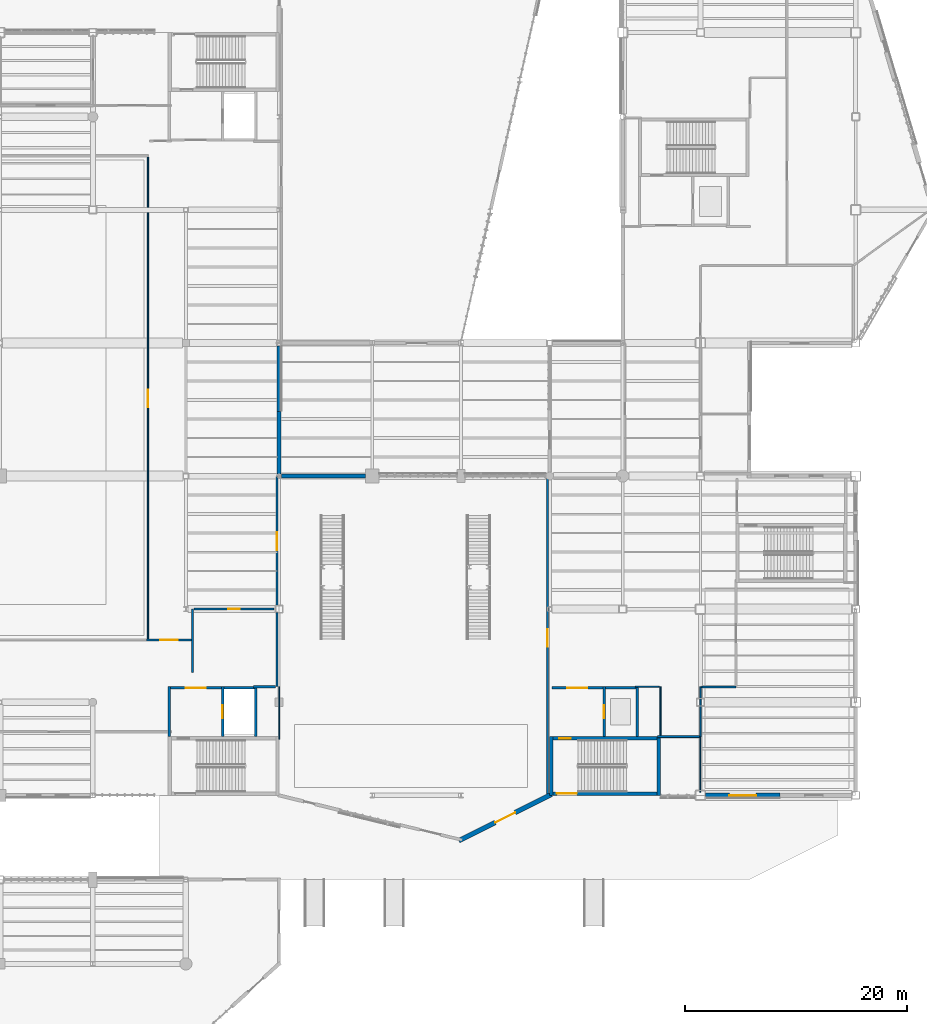
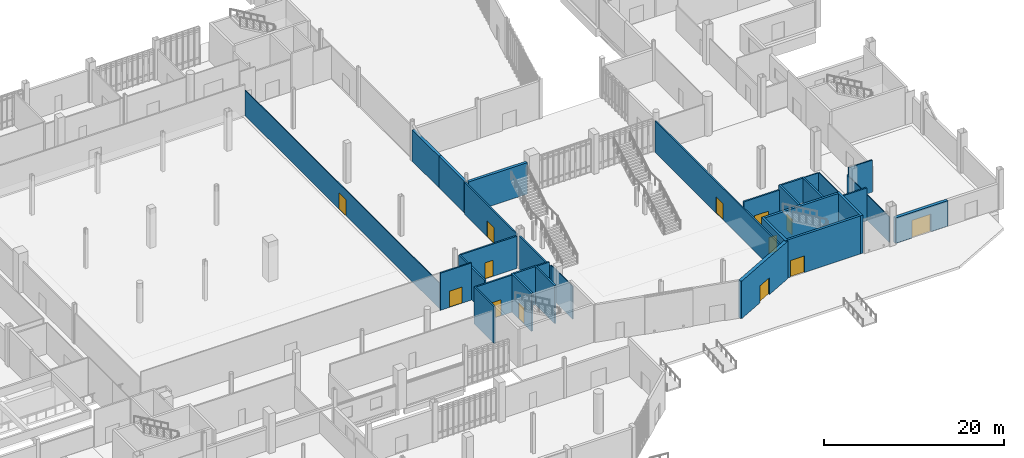
# One storey, part 87 of 111: 33 walls, 13 doors, 13 openings.
"""IFC4 building model written with IfcOpenShell, lengths in metres."""

import ifcopenshell
import ifcopenshell.guid

model = None  # the IFC model being written
_history = None  # IfcOwnerHistory: only IFC2X3 demands one
_inside = {}  # id of a spatial element -> (the spatial element, [elements in it])
_under = {}  # id of a project, library or spatial element -> (it, [spatial elements below it])
_declared = {}  # id of a project -> (the project, [libraries it declares])
_typed = {}  # id of a type object -> (the type object, [elements of that type])
_made_of = {}  # id of a material, layer set ... -> (it, [elements and type objects made of it])


def new_model(schema):
    """Start an empty IFC model of exactly this schema.

    Asked for "IFC4X3", IfcOpenShell would pick the latest addendum, in which some entities
    have other attributes; the version numbers below select the first issue.
    IFC2X3 requires an IfcOwnerHistory on every rooted entity: one is made here for all.
    """
    global model, _history
    if schema == "IFC4X3":
        model = ifcopenshell.file(schema_version=(4, 3, 0, 0))
    else:
        model = ifcopenshell.file(schema=schema)
    _inside.clear()
    _under.clear()
    _declared.clear()
    _typed.clear()
    _made_of.clear()
    _history = None
    if model.schema == "IFC2X3":
        org = make("IfcOrganization", Name="unknown")
        user = make(
            "IfcPersonAndOrganization",
            ThePerson=make("IfcPerson", FamilyName="unknown"),
            TheOrganization=org,
        )
        app = make(
            "IfcApplication",
            ApplicationDeveloper=org,
            Version="unknown",
            ApplicationFullName="unknown",
            ApplicationIdentifier="unknown",
        )
        _history = make(
            "IfcOwnerHistory",
            OwningUser=user,
            OwningApplication=app,
            ChangeAction="ADDED",
            CreationDate=0,
        )
    return model


def make(cls, **values):
    """One entity of the class cls with the attributes given. An attribute that is None is left unset."""
    return model.create_entity(
        cls, **{name: value for name, value in values.items() if value is not None}
    )


def rooted(cls, **values):
    """An entity with a GlobalId (a new one), such as an element, a storey or a relation."""
    return make(cls, GlobalId=ifcopenshell.guid.new(), OwnerHistory=_history, **values)


def si_unit(unit_type, name, prefix=None):
    """IfcSIUnit, for example si_unit("LENGTHUNIT", "METRE", prefix="MILLI")."""
    return make("IfcSIUnit", UnitType=unit_type, Prefix=prefix, Name=name)


def assignment(units):
    """IfcUnitAssignment: the units of a project."""
    return None if units is None else make("IfcUnitAssignment", Units=units)


def point(xyz):
    """IfcCartesianPoint."""
    return None if xyz is None else make("IfcCartesianPoint", Coordinates=xyz)


def direction(xyz):
    """IfcDirection."""
    return None if xyz is None else make("IfcDirection", DirectionRatios=xyz)


def frame(location, z_axis=None, x_axis=None):
    """IfcAxis2Placement3D, a coordinate frame: its origin and axes. An axis left out is left unset."""
    return make(
        "IfcAxis2Placement3D",
        Location=point(location),
        Axis=direction(z_axis),
        RefDirection=direction(x_axis),
    )


def frame_2d(location, x_axis=None):
    """IfcAxis2Placement2D, a coordinate frame in the plane: its origin and x axis."""
    return make(
        "IfcAxis2Placement2D", Location=point(location), RefDirection=direction(x_axis)
    )


def origin():
    """The frame at (0, 0, 0) with its axes left unset."""
    return frame((0.0, 0.0, 0.0))


def place(relative_to, where):
    """IfcLocalPlacement: puts the frame where relative to a parent placement (None: the world)."""
    return make(
        "IfcLocalPlacement", PlacementRelTo=relative_to, RelativePlacement=where
    )


def context(
    kind, dimensions, precision=None, world=None, true_north=None, identifier=None
):
    """IfcGeometricRepresentationContext, for example the 3D "Model" context."""
    return make(
        "IfcGeometricRepresentationContext",
        ContextIdentifier=identifier,
        ContextType=kind,
        CoordinateSpaceDimension=dimensions,
        Precision=precision,
        WorldCoordinateSystem=world,
        TrueNorth=true_north,
    )


def subcontext(parent, identifier, kind, view, scale=None):
    """IfcGeometricRepresentationSubContext, for example "Body" below "Model"."""
    return make(
        "IfcGeometricRepresentationSubContext",
        ContextIdentifier=identifier,
        ContextType=kind,
        ParentContext=parent,
        TargetScale=scale,
        TargetView=view,
    )


def project(units=None, contexts=None):
    """IfcProject with its units and contexts."""
    return rooted(
        "IfcProject",
        Name="project",
        RepresentationContexts=contexts,
        UnitsInContext=assignment(units),
    )


def spatial(cls, under=None, at=None, **own):
    """A site, building, storey or space (cls), placed at a placement, below another one or the project."""
    s = rooted(cls, ObjectPlacement=at, **own)
    if under is not None:
        _under.setdefault(under.id(), (under, []))[1].append(s)
    return s


def profile(cls, at=None, kind="AREA", **sizes):
    """A parametric profile (cls). Its sizes go by their IFC names, for example OverallWidth=200.0."""
    return make(cls, ProfileType=kind, Position=at, **sizes)


def rectangle(**sizes):
    """IfcRectangleProfileDef."""
    return profile("IfcRectangleProfileDef", **sizes)


def extrude(swept, where, along, depth):
    """IfcExtrudedAreaSolid: the profile swept, set in the frame where, extruded along a direction by depth."""
    return make(
        "IfcExtrudedAreaSolid",
        SweptArea=swept,
        Position=where,
        ExtrudedDirection=direction(along),
        Depth=depth,
    )


def shape(context_of_items, identifier, shape_type, items):
    """IfcShapeRepresentation: the items that make up one representation, for example the "Body"."""
    return make(
        "IfcShapeRepresentation",
        ContextOfItems=context_of_items,
        RepresentationIdentifier=identifier,
        RepresentationType=shape_type,
        Items=items,
    )


def material(Name=None, Category=None):
    """IfcMaterial."""
    return make("IfcMaterial", Name=Name, Category=Category)


def layer(
    of_material, thickness, ventilated=None, Name=None, Category=None, Priority=None
):
    """IfcMaterialLayer: one layer of a wall or slab, of a material (None: an air gap)."""
    return make(
        "IfcMaterialLayer",
        Material=of_material,
        LayerThickness=thickness,
        IsVentilated=ventilated,
        Name=Name,
        Category=Category,
        Priority=Priority,
    )


def layer_set(layers, Name=None):
    """IfcMaterialLayerSet."""
    return make("IfcMaterialLayerSet", MaterialLayers=layers, LayerSetName=Name)


def made_of(thing, what):
    """Note that an element or type object is made of a material, layer set ...; save() writes the relation."""
    if what is not None:
        _made_of.setdefault(what.id(), (what, []))[1].append(thing)
    return thing


def type_object(cls, material=None, **own):
    """A type object (cls), such as IfcWallType, which elements share."""
    return made_of(rooted(cls, **own), material)


def element(
    cls,
    number,
    at=None,
    inside=None,
    cuts=None,
    type_object=None,
    material=None,
    context=None,
    identifier="Body",
    shape_type=None,
    held_by="IfcProductDefinitionShape",
    body=None,
    shapes=None,
    **own,
):
    """One element of the class cls, such as IfcWall. Its Tag is "e" and its number.

    at: its placement. inside: the storey or other place that contains it. cuts: it is an
    opening in that element (IfcRelVoidsElement). A single representation is given by context,
    identifier, shape_type and body (its items); several are given by shapes. held_by: the class
    of the entity that holds the representations. save() writes the other relations.
    """
    e = rooted(cls, Tag="e%d" % number, ObjectPlacement=at, **own)
    if body is not None:
        shapes = [shape(context, identifier, shape_type, body)]
    if shapes is not None:
        e.Representation = make(held_by, Representations=shapes)
    if inside is not None:
        _inside.setdefault(inside.id(), (inside, []))[1].append(e)
    if cuts is not None:
        rooted(
            "IfcRelVoidsElement", RelatingBuildingElement=cuts, RelatedOpeningElement=e
        )
    if type_object is not None:
        _typed.setdefault(type_object.id(), (type_object, []))[1].append(e)
    return made_of(e, material)


def fill(opening, filler):
    """IfcRelFillsElement: the door or window that sits in an opening."""
    return rooted(
        "IfcRelFillsElement",
        RelatingOpeningElement=opening,
        RelatedBuildingElement=filler,
    )


def aggregate(whole, parts):
    """IfcRelAggregates: a whole, such as a stair, and the parts it consists of."""
    return rooted("IfcRelAggregates", RelatingObject=whole, RelatedObjects=parts)


def save(model, path):
    """Write the relations noted so far, then the file.

    IfcRelAggregates (storeys below a building ...), IfcRelContainedInSpatialStructure (elements
    in a storey), IfcRelDefinesByType, IfcRelAssociatesMaterial and IfcRelDeclares: one each for
    every whole, place, type object, material and project.
    """
    for whole, parts in _under.values():
        aggregate(whole, parts)
    for where, things in _inside.values():
        rooted(
            "IfcRelContainedInSpatialStructure",
            RelatedElements=things,
            RelatingStructure=where,
        )
    for kind, things in _typed.values():
        rooted("IfcRelDefinesByType", RelatedObjects=things, RelatingType=kind)
    for what, things in _made_of.values():
        rooted("IfcRelAssociatesMaterial", RelatedObjects=things, RelatingMaterial=what)
    for by, libraries in _declared.values():
        rooted("IfcRelDeclares", RelatingContext=by, RelatedDefinitions=libraries)
    model.write(path)


model = new_model("IFC4")

# Units and contexts
model_context = context("Model", 3, precision=1e-05, world=origin(), true_north=direction((0.0, 1.0)))
body_context = subcontext(model_context, "Body", "Model", "MODEL_VIEW")
ifc_project = project(units=[si_unit("LENGTHUNIT", "METRE"), si_unit("AREAUNIT", "SQUARE_METRE"), si_unit("VOLUMEUNIT", "CUBIC_METRE"), si_unit("PLANEANGLEUNIT", "RADIAN"), si_unit("MASSUNIT", "GRAM", prefix="KILO")], contexts=[model_context])

# Site, building, storey
site_placement = place(None, origin())
site = spatial("IfcSite", under=ifc_project, at=site_placement, CompositionType="ELEMENT")
building_placement = place(site_placement, origin())
building = spatial("IfcBuilding", under=site, at=building_placement, Name="Larkvane Passage Sports Hall", CompositionType="ELEMENT")
storey_placement = place(building_placement, origin())
storey = spatial("IfcBuildingStorey", under=building, at=storey_placement, Name="L00", CompositionType="ELEMENT", Elevation=0.0)

# Walls
ifc_material_1 = material(Name="Concrete C50/60", Category="concrete")
ifc_layer_1 = layer(ifc_material_1, 0.340087890625)
ifc_layer_set_1 = layer_set([ifc_layer_1], Name="Concrete C50/60")
wall_type_1 = type_object("IfcWallType", Name="WL-CORE-340", PredefinedType="SHEAR", material=ifc_layer_set_1)
for number, where, z_axis, x_axis, name in (
    (1, (118.14990234375, 22.800048828125, 0.0), (0.0, 0.0, 1.0), (0.0, 1.0, 0.0), "Core shear wall WAL-CORE-C5-L00-W"),
    (2, (127.85009765625, 28.10009765625, 0.0), (0.0, 0.0, 1.0), (0.0, -1.0, 0.0), "Core shear wall WAL-CORE-C5-L00-E"),
):
    element("IfcWall", number, at=place(storey_placement, frame(where, z_axis=z_axis, x_axis=x_axis)), inside=storey, type_object=wall_type_1, Name=name, PredefinedType="SHEAR", context=body_context, shape_type="SweptSolid", body=[
        extrude(rectangle(XDim=5.300048828125, YDim=0.300048828125, at=frame_2d((2.64990234375, 0.0))), origin(), (0.0, 0.0, 1.0), 5.169921875),
    ])

# Wall, opening, door
wall_1_placement = place(storey_placement, frame((118.300048828125, 27.949951171875, 0.0), z_axis=(0.0, 0.0, 1.0), x_axis=(1.0, 0.0, 0.0)))
wall_1 = element("IfcWall", 3, at=wall_1_placement, inside=storey, type_object=wall_type_1, Name="Core shear wall WAL-CORE-C5-L00-N", PredefinedType="SHEAR", context=body_context, shape_type="SweptSolid", body=[
    extrude(rectangle(XDim=9.39990234375, YDim=0.300048828125, at=frame_2d((4.699951171875, 0.0))), origin(), (0.0, 0.0, 1.0), 5.169921875),
])
opening_1_placement = place(wall_1_placement, frame((0.550048828125, 0.0, 0.0)))
opening_1 = element("IfcOpeningElement", 4, at=opening_1_placement, cuts=wall_1, Name="Opening DF-01", PredefinedType="OPENING", context=body_context, shape_type="SweptSolid", body=[
    extrude(rectangle(XDim=1.050048828125, YDim=2.199951171875, at=frame_2d((0.52490234375, 1.10009765625))), frame((0.0, 0.159912109375, 0.0), z_axis=(0.0, -1.0, 0.0), x_axis=(1.0, 0.0, 0.0)), (0.0, 0.0, 1.0), 0.320068359375),
])
ifc_material_2 = material(Name="Steel S355JR smoke-sealed fire door", Category="steel")
door_type_1 = type_object("IfcDoorType", Name="DR-FIRE-1050", OperationType="NOTDEFINED", PredefinedType="DOOR", material=ifc_material_2)
door_1_placement = place(opening_1_placement, origin())
door_1 = element("IfcDoor", 5, at=door_1_placement, inside=storey, type_object=door_type_1, Name="Stair ST-05 L00 fire door", OperationType="SINGLE_SWING_RIGHT", OverallHeight=2.199951171875, OverallWidth=1.050048828125, PredefinedType="DOOR", context=body_context, shape_type="SweptSolid", body=[
    extrude(rectangle(XDim=1.050048828125, YDim=2.199951171875, at=frame_2d((0.52490234375, 1.10009765625))), frame((0.0, 0.02490234375, 0.0), z_axis=(0.0, -1.0, 0.0), x_axis=(1.0, 0.0, 0.0)), (0.0, 0.0, 1.0), 0.050048828125),
])
fill(opening_1, door_1)

ifc_layer_2 = layer(ifc_material_1, 0.340087890625)
ifc_layer_set_2 = layer_set([ifc_layer_2], Name="Concrete C50/60")
wall_type_2 = type_object("IfcWallType", Name="WL-CORE-EXT-340", PredefinedType="SHEAR", material=ifc_layer_set_2)
wall_2_placement = place(storey_placement, frame((127.699951171875, 22.949951171875, 0.0), z_axis=(0.0, 0.0, 1.0), x_axis=(-1.0, 0.0, 0.0)))
wall_2 = element("IfcWall", 6, at=wall_2_placement, inside=storey, type_object=wall_type_2, Name="Core shear wall WAL-CORE-C5-L00-S", PredefinedType="SHEAR", context=body_context, shape_type="SweptSolid", body=[
    extrude(rectangle(XDim=9.39990234375, YDim=0.300048828125, at=frame_2d((4.699951171875, 0.0))), origin(), (0.0, 0.0, 1.0), 5.169921875),
])
opening_2_placement = place(wall_2_placement, frame((7.25, 0.0, 0.0)))
opening_2 = element("IfcOpeningElement", 7, at=opening_2_placement, cuts=wall_2, Name="Opening DE-03", PredefinedType="OPENING", context=body_context, shape_type="SweptSolid", body=[
    extrude(rectangle(XDim=1.800048828125, YDim=2.25, at=frame_2d((0.89990234375, 1.125))), frame((0.0, 0.159912109375, 0.0), z_axis=(0.0, -1.0, 0.0), x_axis=(1.0, 0.0, 0.0)), (0.0, 0.0, 1.0), 0.320068359375),
])
ifc_material_3 = material(Name="Galvanised steel S355JR fire exit leaf", Category="steel")
door_type_2 = type_object("IfcDoorType", Name="DR-EXIT-1800", OperationType="DOUBLE_DOOR_SINGLE_SWING", PredefinedType="DOOR", material=ifc_material_3)
door_2_placement = place(opening_2_placement, origin())
door_2 = element("IfcDoor", 8, at=door_2_placement, inside=storey, type_object=door_type_2, Name="Stair ST-05 L00 direct final exit door", OperationType="DOUBLE_DOOR_SINGLE_SWING", OverallHeight=2.25, OverallWidth=1.800048828125, PredefinedType="DOOR", context=body_context, shape_type="SweptSolid", body=[
    extrude(rectangle(XDim=1.800048828125, YDim=2.25, at=frame_2d((0.89990234375, 1.125))), frame((0.0, 0.02490234375, 0.0), z_axis=(0.0, -1.0, 0.0), x_axis=(1.0, 0.0, 0.0)), (0.0, 0.0, 1.0), 0.050048828125),
])
fill(opening_2, door_2)

# Walls
ifc_material_4 = material(Name="Precast concrete C45/55", Category="concrete")
ifc_layer_3 = layer(ifc_material_4, 0.344970703125)
ifc_layer_set_3 = layer_set([ifc_layer_3], Name="Precast concrete C45/55")
wall_type_3 = type_object("IfcWallType", Name="WL-EXT-345", PredefinedType="SOLIDWALL", material=ifc_layer_set_3)
wall_3_placement = place(storey_placement, frame((93.60009765625, 63.35009765625, 0.0), z_axis=(0.0, 0.0, 1.0), x_axis=(0.0, -1.0, 0.0)))
element("IfcWall", 9, at=wall_3_placement, inside=storey, type_object=wall_type_3, Name="Exterior wall WAL-EXT-L00-028", PredefinedType="SOLIDWALL", context=body_context, shape_type="SweptSolid", body=[
    extrude(rectangle(XDim=5.915771484375, YDim=0.344970703125, at=frame_2d((2.9580078125, 0.0))), origin(), (0.0, 0.0, 1.0), 4.27587890625),
])
wall_4_placement = place(storey_placement, frame((93.60009765625, 57.765625, 0.0), z_axis=(0.0, 0.0, 1.0), x_axis=(0.0, -1.0, 0.0)))
element("IfcWall", 10, at=wall_4_placement, inside=storey, type_object=wall_type_3, Name="Exterior wall WAL-EXT-L00-029", PredefinedType="SOLIDWALL", context=body_context, shape_type="SweptSolid", body=[
    extrude(rectangle(XDim=5.96630859375, YDim=0.344970703125, at=frame_2d((2.983154296875, 0.0))), origin(), (0.0, 0.0, 1.0), 4.27587890625),
])
wall_5_placement = place(storey_placement, frame((93.79931640625, 51.60009765625, 0.0), z_axis=(0.0, 0.0, 1.0), x_axis=(1.0, 0.0, 0.0)))
element("IfcWall", 11, at=wall_5_placement, inside=storey, type_object=wall_type_3, Name="Exterior wall WAL-EXT-L00-030", PredefinedType="SOLIDWALL", context=body_context, shape_type="SweptSolid", body=[
    extrude(rectangle(XDim=7.57958984375, YDim=0.344970703125, at=frame_2d((3.789794921875, 0.0))), origin(), (0.0, 0.0, 1.0), 4.27587890625),
])

# Wall, opening, door
ifc_material_5 = material(Name="Concrete C40/50", Category="concrete")
ifc_layer_4 = layer(ifc_material_5, 0.385009765625)
ifc_layer_set_4 = layer_set([ifc_layer_4], Name="Concrete C40/50")
wall_type_4 = type_object("IfcWallType", Name="WL-EXT-385", PredefinedType="SOLIDWALL", material=ifc_layer_set_4)
wall_6_placement = place(storey_placement, frame((138.784912109375, 22.800048828125, 0.0), z_axis=(0.0, 0.0, 1.0), x_axis=(-1.0, 0.0, 0.0)))
wall_6 = element("IfcWall", 12, at=wall_6_placement, inside=storey, type_object=wall_type_4, Name="Exterior wall WAL-EXT-L00-052", PredefinedType="SOLIDWALL", context=body_context, shape_type="SweptSolid", body=[
    extrude(rectangle(XDim=6.739013671875, YDim=0.385009765625, at=frame_2d((3.36962890625, 0.0))), origin(), (0.0, 0.0, 1.0), 3.468017578125),
])
opening_3_placement = place(wall_6_placement, frame((2.1689453125, 0.0, 0.0)))
opening_3 = element("IfcOpeningElement", 13, at=opening_3_placement, cuts=wall_6, Name="Opening DE-01", PredefinedType="OPENING", context=body_context, shape_type="SweptSolid", body=[
    extrude(rectangle(XDim=2.39990234375, YDim=2.39990234375, at=frame_2d((1.199951171875, 1.199951171875))), frame((0.0, 0.202392578125, 0.0), z_axis=(0.0, -1.0, 0.0), x_axis=(1.0, 0.0, 0.0)), (0.0, 0.0, 1.0), 0.405029296875),
])
ifc_material_6 = material(Name="Anodised aluminium and toughened glass", Category="aluminium")
door_type_3 = type_object("IfcDoorType", Name="DR-ENTR-2400", OperationType="DOUBLE_DOOR_SINGLE_SWING", PredefinedType="DOOR", material=ifc_material_6)
door_3_placement = place(opening_3_placement, origin())
door_3 = element("IfcDoor", 14, at=door_3_placement, inside=storey, type_object=door_type_3, Name="Exterior door L00-026", OperationType="DOUBLE_DOOR_SINGLE_SWING", OverallHeight=2.39990234375, OverallWidth=2.39990234375, PredefinedType="DOOR", context=body_context, shape_type="SweptSolid", body=[
    extrude(rectangle(XDim=2.39990234375, YDim=2.39990234375, at=frame_2d((1.199951171875, 1.199951171875))), frame((0.0, 0.02490234375, 0.0), z_axis=(0.0, -1.0, 0.0), x_axis=(1.0, 0.0, 0.0)), (0.0, 0.0, 1.0), 0.050048828125),
])
fill(opening_3, door_3)

ifc_layer_5 = layer(ifc_material_5, 0.425048828125)
ifc_layer_set_5 = layer_set([ifc_layer_5], Name="Concrete C40/50")
wall_type_5 = type_object("IfcWallType", Name="WL-EXT-425", PredefinedType="SOLIDWALL", material=ifc_layer_set_5)
wall_7_placement = place(storey_placement, frame((118.173583984375, 22.88671875, 0.0), z_axis=(0.0, 0.0, 1.0), x_axis=(-0.894432417412, -0.447203142524, 0.0)))
wall_7 = element("IfcWall", 15, at=wall_7_placement, inside=storey, type_object=wall_type_5, Name="Exterior wall WAL-EXT-L00-053", PredefinedType="SOLIDWALL", context=body_context, shape_type="SweptSolid", body=[
    extrude(rectangle(XDim=9.342529296875, YDim=0.425048828125, at=frame_2d((4.67138671875, 0.0))), origin(), (0.0, 0.0, 1.0), 5.10009765625),
])
opening_4_placement = place(wall_7_placement, frame((3.6708984375, 0.0, 0.0)))
opening_4 = element("IfcOpeningElement", 16, at=opening_4_placement, cuts=wall_7, Name="Opening DE-02", PredefinedType="OPENING", context=body_context, shape_type="SweptSolid", body=[
    extrude(rectangle(XDim=2.0, YDim=2.300048828125, at=frame_2d((1.0, 1.14990234375))), frame((0.0, 0.222412109375, 0.0), z_axis=(0.0, -1.0, 0.0), x_axis=(1.0, 0.0, 0.0)), (0.0, 0.0, 1.0), 0.445068359375),
])
door_type_4 = type_object("IfcDoorType", Name="DR-ENTR-2000", OperationType="DOUBLE_DOOR_SINGLE_SWING", PredefinedType="DOOR", material=ifc_material_6)
door_4_placement = place(opening_4_placement, origin())
door_4 = element("IfcDoor", 17, at=door_4_placement, inside=storey, type_object=door_type_4, Name="Exterior door L00-027", OperationType="DOUBLE_DOOR_SINGLE_SWING", OverallHeight=2.300048828125, OverallWidth=2.0, PredefinedType="DOOR", context=body_context, shape_type="SweptSolid", body=[
    extrude(rectangle(XDim=2.0, YDim=2.300048828125, at=frame_2d((1.0, 1.14990234375))), frame((0.0, 0.02490234375, 0.0), z_axis=(0.0, -1.0, 0.0), x_axis=(1.0, 0.0, 0.0)), (0.0, 0.0, 1.0), 0.050048828125),
])
fill(opening_4, door_4)

ifc_layer_6 = layer(ifc_material_5, 0.199951171875)
ifc_layer_set_6 = layer_set([ifc_layer_6], Name="Concrete C40/50")
wall_type_6 = type_object("IfcWallType", Name="WL-LOBBY-200", PredefinedType="SOLIDWALL", material=ifc_layer_set_6)
wall_8_placement = place(storey_placement, frame((83.800048828125, 32.5, 0.0), z_axis=(0.0, 0.0, 1.0), x_axis=(1.0, 0.0, 0.0)))
wall_8 = element("IfcWall", 18, at=wall_8_placement, inside=storey, type_object=wall_type_6, Name="Protected stair lobby wall C4 L00", PredefinedType="SOLIDWALL", context=body_context, shape_type="SweptSolid", body=[
    extrude(rectangle(XDim=4.599853515625, YDim=0.199951171875, at=frame_2d((2.2998046875, 0.0))), origin(), (0.0, 0.0, 1.0), 5.050048828125),
])
opening_5_placement = place(wall_8_placement, frame((1.39990234375, 0.0, 0.0)))
opening_5 = element("IfcOpeningElement", 19, at=opening_5_placement, cuts=wall_8, Name="Opening DF-02", PredefinedType="OPENING", context=body_context, shape_type="SweptSolid", body=[
    extrude(rectangle(XDim=1.800048828125, YDim=2.199951171875, at=frame_2d((0.89990234375, 1.10009765625))), frame((0.0, 0.10986328125, 0.0), z_axis=(0.0, -1.0, 0.0), x_axis=(1.0, 0.0, 0.0)), (0.0, 0.0, 1.0), 0.219970703125),
])
ifc_material_7 = material(Name="Steel S355JR double smoke-sealed fire door", Category="steel")
door_type_5 = type_object("IfcDoorType", Name="DR-FIRE-1800", OperationType="DOUBLE_DOOR_SINGLE_SWING", PredefinedType="DOOR", material=ifc_material_7)
door_5_placement = place(opening_5_placement, origin())
door_5 = element("IfcDoor", 20, at=door_5_placement, inside=storey, type_object=door_type_5, Name="Lobby smoke door C4 L00", OperationType="DOUBLE_DOOR_SINGLE_SWING", OverallHeight=2.199951171875, OverallWidth=1.800048828125, PredefinedType="DOOR", context=body_context, shape_type="SweptSolid", body=[
    extrude(rectangle(XDim=1.800048828125, YDim=2.199951171875, at=frame_2d((0.89990234375, 1.10009765625))), frame((0.0, 0.02490234375, 0.0), z_axis=(0.0, -1.0, 0.0), x_axis=(1.0, 0.0, 0.0)), (0.0, 0.0, 1.0), 0.050048828125),
])
fill(opening_5, door_5)

# Wall
wall_9_placement = place(storey_placement, frame((83.699951171875, 28.10009765625, 0.0), z_axis=(0.0, 0.0, 1.0), x_axis=(0.0, 1.0, 0.0)))
element("IfcWall", 21, at=wall_9_placement, inside=storey, type_object=wall_type_6, Name="Lobby side wall C4 L00", PredefinedType="SOLIDWALL", context=body_context, shape_type="SweptSolid", body=[
    extrude(rectangle(XDim=4.5, YDim=0.199951171875, at=frame_2d((2.25, 0.0))), origin(), (0.0, 0.0, 1.0), 5.050048828125),
])

# Wall, opening, door
wall_10_placement = place(storey_placement, frame((118.199951171875, 32.5, 0.0), z_axis=(0.0, 0.0, 1.0), x_axis=(1.0, 0.0, 0.0)))
wall_10 = element("IfcWall", 22, at=wall_10_placement, inside=storey, type_object=wall_type_6, Name="Protected stair lobby wall C5 L00", PredefinedType="SOLIDWALL", context=body_context, shape_type="SweptSolid", body=[
    extrude(rectangle(XDim=4.60009765625, YDim=0.199951171875, at=frame_2d((2.300048828125, 0.0))), origin(), (0.0, 0.0, 1.0), 4.572021484375),
])
opening_6_placement = place(wall_10_placement, frame((1.39990234375, 0.0, 0.0)))
opening_6 = element("IfcOpeningElement", 23, at=opening_6_placement, cuts=wall_10, Name="Opening DF-02", PredefinedType="OPENING", context=body_context, shape_type="SweptSolid", body=[
    extrude(rectangle(XDim=1.800048828125, YDim=2.199951171875, at=frame_2d((0.89990234375, 1.10009765625))), frame((0.0, 0.10986328125, 0.0), z_axis=(0.0, -1.0, 0.0), x_axis=(1.0, 0.0, 0.0)), (0.0, 0.0, 1.0), 0.219970703125),
])
door_6_placement = place(opening_6_placement, origin())
door_6 = element("IfcDoor", 24, at=door_6_placement, inside=storey, type_object=door_type_5, Name="Lobby smoke door C5 L00", OperationType="DOUBLE_DOOR_SINGLE_SWING", OverallHeight=2.199951171875, OverallWidth=1.800048828125, PredefinedType="DOOR", context=body_context, shape_type="SweptSolid", body=[
    extrude(rectangle(XDim=1.800048828125, YDim=2.199951171875, at=frame_2d((0.89990234375, 1.10009765625))), frame((0.0, 0.02490234375, 0.0), z_axis=(0.0, -1.0, 0.0), x_axis=(1.0, 0.0, 0.0)), (0.0, 0.0, 1.0), 0.050048828125),
])
fill(opening_6, door_6)

# Walls
wall_11_placement = place(storey_placement, frame((93.39990234375, 39.347900390625, 0.0), z_axis=(0.0, 0.0, 1.0), x_axis=(0.0, -1.0, 0.0)))
element("IfcWall", 25, at=wall_11_placement, inside=storey, type_object=wall_type_6, Name="Interior partition WAL-PART-L00-0038", PredefinedType="SOLIDWALL", context=body_context, shape_type="SweptSolid", body=[
    extrude(rectangle(XDim=6.747802734375, YDim=0.199951171875, at=frame_2d((3.3740234375, 0.0))), origin(), (0.0, 0.0, 1.0), 4.469970703125),
])
wall_12_placement = place(storey_placement, frame((93.280029296875, 32.60009765625, 0.0), z_axis=(0.0, 0.0, 1.0), x_axis=(-1.0, 0.0, 0.0)))
element("IfcWall", 26, at=wall_12_placement, inside=storey, type_object=wall_type_6, Name="Interior partition WAL-PART-L00-0039", PredefinedType="SOLIDWALL", context=body_context, shape_type="SweptSolid", body=[
    extrude(rectangle(XDim=1.97998046875, YDim=0.199951171875, at=frame_2d((0.989990234375, 0.0))), origin(), (0.0, 0.0, 1.0), 5.050048828125),
])
wall_13_placement = place(storey_placement, frame((85.800048828125, 33.89990234375, 0.0), z_axis=(0.0, 0.0, 1.0), x_axis=(0.0, 1.0, 0.0)))
element("IfcWall", 27, at=wall_13_placement, inside=storey, type_object=wall_type_6, Name="Interior partition WAL-PART-L00-0040", PredefinedType="SOLIDWALL", context=body_context, shape_type="SweptSolid", body=[
    extrude(rectangle(XDim=5.7001953125, YDim=0.199951171875, at=frame_2d((2.85009765625, 0.0))), origin(), (0.0, 0.0, 1.0), 4.382080078125),
])

# Wall, opening, door
wall_14_placement = place(storey_placement, frame((85.919921875, 39.60009765625, 0.0), z_axis=(0.0, 0.0, 1.0), x_axis=(1.0, 0.0, 0.0)))
wall_14 = element("IfcWall", 28, at=wall_14_placement, inside=storey, type_object=wall_type_6, Name="Interior partition WAL-PART-L00-0041", PredefinedType="SOLIDWALL", context=body_context, shape_type="SweptSolid", body=[
    extrude(rectangle(XDim=7.22802734375, YDim=0.199951171875, at=frame_2d((3.614013671875, 0.0))), origin(), (0.0, 0.0, 1.0), 4.382080078125),
])
opening_7_placement = place(wall_14_placement, frame((3.089111328125, 0.0, 0.0)))
opening_7 = element("IfcOpeningElement", 29, at=opening_7_placement, cuts=wall_14, Name="Opening DF-01", PredefinedType="OPENING", context=body_context, shape_type="SweptSolid", body=[
    extrude(rectangle(XDim=1.050048828125, YDim=2.199951171875, at=frame_2d((0.52490234375, 1.10009765625))), frame((0.0, 0.10986328125, 0.0), z_axis=(0.0, -1.0, 0.0), x_axis=(1.0, 0.0, 0.0)), (0.0, 0.0, 1.0), 0.219970703125),
])
door_7_placement = place(opening_7_placement, origin())
door_7 = element("IfcDoor", 30, at=door_7_placement, inside=storey, type_object=door_type_1, Name="Interior door L00-0031", OperationType="SINGLE_SWING_LEFT", OverallHeight=2.199951171875, OverallWidth=1.050048828125, PredefinedType="DOOR", context=body_context, shape_type="SweptSolid", body=[
    extrude(rectangle(XDim=1.050048828125, YDim=2.199951171875, at=frame_2d((0.52490234375, 1.10009765625))), frame((0.0, 0.02490234375, 0.0), z_axis=(0.0, -1.0, 0.0), x_axis=(1.0, 0.0, 0.0)), (0.0, 0.0, 1.0), 0.050048828125),
])
fill(opening_7, door_7)

ifc_material_8 = material(Name="Gypsum twin-stud acoustic partition")
ifc_layer_7 = layer(ifc_material_8, 0.10009765625)
ifc_layer_set_7 = layer_set([ifc_layer_7], Name="Gypsum twin-stud acoustic partition")
wall_type_7 = type_object("IfcWallType", Name="WL-PART-100", PredefinedType="PARTITIONING", material=ifc_layer_set_7)
wall_15_placement = place(storey_placement, frame((81.780029296875, 80.360107421875, 0.0), z_axis=(0.0, 0.0, 1.0), x_axis=(0.0, -1.0, 0.0)))
wall_15 = element("IfcWall", 31, at=wall_15_placement, inside=storey, type_object=wall_type_7, Name="Interior partition WAL-PART-L00-0048", PredefinedType="PARTITIONING", context=body_context, shape_type="SweptSolid", body=[
    extrude(rectangle(XDim=43.5400390625, YDim=0.10009765625, at=frame_2d((21.77001953125, 0.0))), origin(), (0.0, 0.0, 1.0), 3.469970703125),
])
opening_8_placement = place(wall_15_placement, frame((20.969970703125, 0.0, 0.0)))
opening_8 = element("IfcOpeningElement", 32, at=opening_8_placement, cuts=wall_15, Name="Opening DI-03", PredefinedType="OPENING", context=body_context, shape_type="SweptSolid", body=[
    extrude(rectangle(XDim=1.60009765625, YDim=2.199951171875, at=frame_2d((0.800048828125, 1.10009765625))), frame((0.0, 0.06005859375, 0.0), z_axis=(0.0, -1.0, 0.0), x_axis=(1.0, 0.0, 0.0)), (0.0, 0.0, 1.0), 0.1201171875),
])
ifc_material_9 = material(Name="Glazed aluminium studio double door", Category="aluminium")
door_type_6 = type_object("IfcDoorType", Name="DR-INT-1600", OperationType="DOUBLE_DOOR_SINGLE_SWING", PredefinedType="DOOR", material=ifc_material_9)
door_8_placement = place(opening_8_placement, origin())
door_8 = element("IfcDoor", 33, at=door_8_placement, inside=storey, type_object=door_type_6, Name="Interior door L00-0015", OperationType="DOUBLE_DOOR_SINGLE_SWING", OverallHeight=2.199951171875, OverallWidth=1.60009765625, PredefinedType="DOOR", context=body_context, shape_type="SweptSolid", body=[
    extrude(rectangle(XDim=1.60009765625, YDim=2.199951171875, at=frame_2d((0.800048828125, 1.10009765625))), frame((0.0, 0.02490234375, 0.0), z_axis=(0.0, -1.0, 0.0), x_axis=(1.0, 0.0, 0.0)), (0.0, 0.0, 1.0), 0.050048828125),
])
fill(opening_8, door_8)

# Walls
wall_16_placement = place(storey_placement, frame((131.60009765625, 23.10400390625, 0.0), z_axis=(0.0, 0.0, 1.0), x_axis=(0.0, 1.0, 0.0)))
element("IfcWall", 34, at=wall_16_placement, inside=storey, type_object=wall_type_7, Name="Interior partition WAL-PART-L00-0072", PredefinedType="PARTITIONING", context=body_context, shape_type="SweptSolid", body=[
    extrude(rectangle(XDim=4.97607421875, YDim=0.10009765625, at=frame_2d((2.488037109375, 0.0))), origin(), (0.0, 0.0, 1.0), 3.469970703125),
])
wall_17_placement = place(storey_placement, frame((93.60009765625, 27.840087890625, 0.0), z_axis=(0.0, 0.0, 1.0), x_axis=(0.0, 1.0, 0.0)))
element("IfcWall", 35, at=wall_17_placement, inside=storey, type_object=wall_type_7, Name="Interior partition WAL-PART-L00-0104", PredefinedType="PARTITIONING", context=body_context, shape_type="SweptSolid", body=[
    extrude(rectangle(XDim=4.760009765625, YDim=0.10009765625, at=frame_2d((2.3798828125, 0.0))), origin(), (0.0, 0.0, 1.0), 4.469970703125),
])
wall_18_placement = place(storey_placement, frame((128.0, 28.219970703125, 0.0), z_axis=(0.0, 0.0, 1.0), x_axis=(0.0, 1.0, 0.0)))
element("IfcWall", 36, at=wall_18_placement, inside=storey, type_object=wall_type_7, Name="Interior partition WAL-PART-L00-0108", PredefinedType="PARTITIONING", context=body_context, shape_type="SweptSolid", body=[
    extrude(rectangle(XDim=4.380126953125, YDim=0.10009765625, at=frame_2d((2.18994140625, 0.0))), origin(), (0.0, 0.0, 1.0), 5.050048828125),
])
ifc_material_10 = material(Name="Gypsum twin-stud fire-rated partition")
ifc_layer_8 = layer(ifc_material_10, 0.125)
ifc_layer_set_8 = layer_set([ifc_layer_8], Name="Gypsum twin-stud fire-rated partition")
wall_type_8 = type_object("IfcWallType", Name="WL-PART-125", PredefinedType="PARTITIONING", material=ifc_layer_set_8)
wall_19_placement = place(storey_placement, frame((131.6201171875, 28.10009765625, 0.0), z_axis=(0.0, 0.0, 1.0), x_axis=(0.0, 1.0, 0.0)))
element("IfcWall", 37, at=wall_19_placement, inside=storey, type_object=wall_type_8, Name="Interior partition WAL-PART-L00-0073", PredefinedType="PARTITIONING", context=body_context, shape_type="SweptSolid", body=[
    extrude(rectangle(XDim=4.47998046875, YDim=0.125, at=frame_2d((2.239990234375, 0.0))), origin(), (0.0, 0.0, 1.0), 3.469970703125),
])
wall_20_placement = place(storey_placement, frame((127.8798828125, 32.60009765625, 0.0), z_axis=(0.0, 0.0, 1.0), x_axis=(-1.0, 0.0, 0.0)))
element("IfcWall", 38, at=wall_20_placement, inside=storey, type_object=wall_type_8, Name="Interior partition WAL-PART-L00-0109", PredefinedType="PARTITIONING", context=body_context, shape_type="SweptSolid", body=[
    extrude(rectangle(XDim=2.139892578125, YDim=0.125, at=frame_2d((1.06982421875, 0.0))), origin(), (0.0, 0.0, 1.0), 5.050048828125),
])
ifc_material_11 = material(Name="Gypsum acoustic partition")
ifc_layer_9 = layer(ifc_material_11, 0.14990234375)
ifc_layer_set_9 = layer_set([ifc_layer_9], Name="Gypsum acoustic partition")
wall_type_9 = type_object("IfcWallType", Name="WL-PART-150", PredefinedType="PARTITIONING", material=ifc_layer_set_9)
wall_21_placement = place(storey_placement, frame((131.739990234375, 32.580078125, 0.0), z_axis=(0.0, 0.0, 1.0), x_axis=(1.0, 0.0, 0.0)))
element("IfcWall", 39, at=wall_21_placement, inside=storey, type_object=wall_type_9, Name="Interior partition WAL-PART-L00-0074", PredefinedType="PARTITIONING", context=body_context, shape_type="SweptSolid", body=[
    extrude(rectangle(XDim=3.06005859375, YDim=0.14990234375, at=frame_2d((1.530029296875, 0.0))), origin(), (0.0, 0.0, 1.0), 4.387939453125),
])

# Wall, opening, door
ifc_material_12 = material(Name="Gypsum high-bay court partition")
ifc_layer_10 = layer(ifc_material_12, 0.179931640625)
ifc_layer_set_10 = layer_set([ifc_layer_10], Name="Gypsum high-bay court partition")
wall_type_10 = type_object("IfcWallType", Name="WL-PART-180", PredefinedType="PARTITIONING", material=ifc_layer_set_10)
wall_22_placement = place(storey_placement, frame((81.659912109375, 36.800048828125, 0.0), z_axis=(0.0, 0.0, 1.0), x_axis=(1.0, 0.0, 0.0)))
wall_22 = element("IfcWall", 40, at=wall_22_placement, inside=storey, type_object=wall_type_10, Name="Interior partition WAL-PART-L00-0095", PredefinedType="PARTITIONING", context=body_context, shape_type="SweptSolid", body=[
    extrude(rectangle(XDim=4.02001953125, YDim=0.179931640625, at=frame_2d((2.010009765625, 0.0))), origin(), (0.0, 0.0, 1.0), 5.050048828125),
])
opening_9_placement = place(wall_22_placement, frame((1.2099609375, 0.0, 0.0)))
opening_9 = element("IfcOpeningElement", 41, at=opening_9_placement, cuts=wall_22, Name="Opening DI-03", PredefinedType="OPENING", context=body_context, shape_type="SweptSolid", body=[
    extrude(rectangle(XDim=1.60009765625, YDim=2.199951171875, at=frame_2d((0.800048828125, 1.10009765625))), frame((0.0, 0.099853515625, 0.0), z_axis=(0.0, -1.0, 0.0), x_axis=(1.0, 0.0, 0.0)), (0.0, 0.0, 1.0), 0.199951171875),
])
door_9_placement = place(opening_9_placement, origin())
door_9 = element("IfcDoor", 42, at=door_9_placement, inside=storey, type_object=door_type_6, Name="Interior door L00-0041", OperationType="DOUBLE_DOOR_SINGLE_SWING", OverallHeight=2.199951171875, OverallWidth=1.60009765625, PredefinedType="DOOR", context=body_context, shape_type="SweptSolid", body=[
    extrude(rectangle(XDim=1.60009765625, YDim=2.199951171875, at=frame_2d((0.800048828125, 1.10009765625))), frame((0.0, 0.02490234375, 0.0), z_axis=(0.0, -1.0, 0.0), x_axis=(1.0, 0.0, 0.0)), (0.0, 0.0, 1.0), 0.050048828125),
])
fill(opening_9, door_9)

wall_23_placement = place(storey_placement, frame((93.39990234375, 51.5458984375, 0.0), z_axis=(0.0, 0.0, 1.0), x_axis=(0.0, -1.0, 0.0)))
wall_23 = element("IfcWall", 43, at=wall_23_placement, inside=storey, type_object=wall_type_10, Name="Interior partition WAL-PART-L00-0099", PredefinedType="PARTITIONING", context=body_context, shape_type="SweptSolid", body=[
    extrude(rectangle(XDim=11.673828125, YDim=0.179931640625, at=frame_2d((5.8369140625, 0.0))), origin(), (0.0, 0.0, 1.0), 4.3701171875),
])
opening_10_placement = place(wall_23_placement, frame((5.037109375, 0.0, 0.0)))
opening_10 = element("IfcOpeningElement", 44, at=opening_10_placement, cuts=wall_23, Name="Opening DI-03", PredefinedType="OPENING", context=body_context, shape_type="SweptSolid", body=[
    extrude(rectangle(XDim=1.60009765625, YDim=2.199951171875, at=frame_2d((0.800048828125, 1.10009765625))), frame((0.0, 0.099853515625, 0.0), z_axis=(0.0, -1.0, 0.0), x_axis=(1.0, 0.0, 0.0)), (0.0, 0.0, 1.0), 0.199951171875),
])
door_10_placement = place(opening_10_placement, origin())
door_10 = element("IfcDoor", 45, at=door_10_placement, inside=storey, type_object=door_type_6, Name="Interior door L00-0037", OperationType="DOUBLE_DOOR_SINGLE_SWING", OverallHeight=2.199951171875, OverallWidth=1.60009765625, PredefinedType="DOOR", context=body_context, shape_type="SweptSolid", body=[
    extrude(rectangle(XDim=1.60009765625, YDim=2.199951171875, at=frame_2d((0.800048828125, 1.10009765625))), frame((0.0, 0.02490234375, 0.0), z_axis=(0.0, -1.0, 0.0), x_axis=(1.0, 0.0, 0.0)), (0.0, 0.0, 1.0), 0.050048828125),
])
fill(opening_10, door_10)

wall_24_placement = place(storey_placement, frame((117.800048828125, 51.367919921875, 0.0), z_axis=(0.0, 0.0, 1.0), x_axis=(0.0, -1.0, 0.0)))
wall_24 = element("IfcWall", 46, at=wall_24_placement, inside=storey, type_object=wall_type_10, Name="Interior partition WAL-PART-L00-0103", PredefinedType="PARTITIONING", context=body_context, shape_type="SweptSolid", body=[
    extrude(rectangle(XDim=28.754638671875, YDim=0.179931640625, at=frame_2d((14.37744140625, 0.0))), origin(), (0.0, 0.0, 1.0), 4.278076171875),
])
opening_11_placement = place(wall_24_placement, frame((13.576904296875, 0.0, 0.0)))
opening_11 = element("IfcOpeningElement", 47, at=opening_11_placement, cuts=wall_24, Name="Opening DI-03", PredefinedType="OPENING", context=body_context, shape_type="SweptSolid", body=[
    extrude(rectangle(XDim=1.60009765625, YDim=2.199951171875, at=frame_2d((0.800048828125, 1.10009765625))), frame((0.0, 0.099853515625, 0.0), z_axis=(0.0, -1.0, 0.0), x_axis=(1.0, 0.0, 0.0)), (0.0, 0.0, 1.0), 0.199951171875),
])
door_11_placement = place(opening_11_placement, origin())
door_11 = element("IfcDoor", 48, at=door_11_placement, inside=storey, type_object=door_type_6, Name="Interior door L00-0036", OperationType="DOUBLE_DOOR_SINGLE_SWING", OverallHeight=2.199951171875, OverallWidth=1.60009765625, PredefinedType="DOOR", context=body_context, shape_type="SweptSolid", body=[
    extrude(rectangle(XDim=1.60009765625, YDim=2.199951171875, at=frame_2d((0.800048828125, 1.10009765625))), frame((0.0, 0.02490234375, 0.0), z_axis=(0.0, -1.0, 0.0), x_axis=(1.0, 0.0, 0.0)), (0.0, 0.0, 1.0), 0.050048828125),
])
fill(opening_11, door_11)

# Wall
wall_25_placement = place(storey_placement, frame((131.5, 28.10009765625, 0.0), z_axis=(0.0, 0.0, 1.0), x_axis=(-1.0, 0.0, 0.0)))
element("IfcWall", 49, at=wall_25_placement, inside=storey, type_object=wall_type_10, Name="Interior partition WAL-PART-L00-0107", PredefinedType="PARTITIONING", context=body_context, shape_type="SweptSolid", body=[
    extrude(rectangle(XDim=3.760009765625, YDim=0.179931640625, at=frame_2d((1.8798828125, 0.0))), origin(), (0.0, 0.0, 1.0), 4.48193359375),
])

# Wall, opening, door
ifc_layer_11 = layer(ifc_material_5, 0.219970703125)
ifc_layer_set_11 = layer_set([ifc_layer_11], Name="Concrete C40/50")
wall_type_11 = type_object("IfcWallType", Name="WL-SHAFT-220", PredefinedType="SOLIDWALL", material=ifc_layer_set_11)
wall_26_placement = place(storey_placement, frame((88.510009765625, 28.10009765625, 0.0), z_axis=(0.0, 0.0, 1.0), x_axis=(0.0, 1.0, 0.0)))
wall_26 = element("IfcWall", 50, at=wall_26_placement, inside=storey, type_object=wall_type_11, Name="Lift shaft front wall L-05 L00", PredefinedType="SOLIDWALL", context=body_context, shape_type="SweptSolid", body=[
    extrude(rectangle(XDim=4.5, YDim=0.219970703125, at=frame_2d((2.25, 0.0))), origin(), (0.0, 0.0, 1.0), 5.169921875),
])
opening_12_placement = place(wall_26_placement, frame((1.64990234375, 0.0, 0.0)))
opening_12 = element("IfcOpeningElement", 51, at=opening_12_placement, cuts=wall_26, Name="Opening LD-01", PredefinedType="OPENING", context=body_context, shape_type="SweptSolid", body=[
    extrude(rectangle(XDim=1.199951171875, YDim=2.199951171875, at=frame_2d((0.60009765625, 1.10009765625))), frame((0.0, 0.119873046875, 0.0), z_axis=(0.0, -1.0, 0.0), x_axis=(1.0, 0.0, 0.0)), (0.0, 0.0, 1.0), 0.239990234375),
])
ifc_material_13 = material(Name="Stainless steel S355JR lift landing door", Category="steel")
door_type_7 = type_object("IfcDoorType", Name="DR-LIFT-1200", OperationType="SLIDING_TO_LEFT", PredefinedType="DOOR", material=ifc_material_13)
door_12_placement = place(opening_12_placement, origin())
door_12 = element("IfcDoor", 52, at=door_12_placement, inside=storey, type_object=door_type_7, Name="Lift landing door L-05 L00", OperationType="SLIDING_TO_LEFT", OverallHeight=2.199951171875, OverallWidth=1.199951171875, PredefinedType="DOOR", context=body_context, shape_type="SweptSolid", body=[
    extrude(rectangle(XDim=1.199951171875, YDim=2.199951171875, at=frame_2d((0.60009765625, 1.10009765625))), frame((0.0, 0.02490234375, 0.0), z_axis=(0.0, -1.0, 0.0), x_axis=(1.0, 0.0, 0.0)), (0.0, 0.0, 1.0), 0.050048828125),
])
fill(opening_12, door_12)

# Walls
wall_27_placement = place(storey_placement, frame((91.489990234375, 28.10009765625, 0.0), z_axis=(0.0, 0.0, 1.0), x_axis=(0.0, 1.0, 0.0)))
element("IfcWall", 53, at=wall_27_placement, inside=storey, type_object=wall_type_11, Name="Lift shaft rear wall L-05 L00", PredefinedType="SOLIDWALL", context=body_context, shape_type="SweptSolid", body=[
    extrude(rectangle(XDim=4.5, YDim=0.219970703125, at=frame_2d((2.25, 0.0))), origin(), (0.0, 0.0, 1.0), 5.169921875),
])
wall_28_placement = place(storey_placement, frame((88.6201171875, 32.489990234375, 0.0), z_axis=(0.0, 0.0, 1.0), x_axis=(1.0, 0.0, 0.0)))
element("IfcWall", 54, at=wall_28_placement, inside=storey, type_object=wall_type_11, Name="Lift shaft end wall L-05 L00", PredefinedType="SOLIDWALL", context=body_context, shape_type="SweptSolid", body=[
    extrude(rectangle(XDim=2.759765625, YDim=0.219970703125, at=frame_2d((1.3798828125, 0.0))), origin(), (0.0, 0.0, 1.0), 5.169921875),
])

# Wall, opening, door
wall_29_placement = place(storey_placement, frame((122.909912109375, 28.10009765625, 0.0), z_axis=(0.0, 0.0, 1.0), x_axis=(0.0, 1.0, 0.0)))
wall_29 = element("IfcWall", 55, at=wall_29_placement, inside=storey, type_object=wall_type_11, Name="Lift shaft front wall FL-02 L00", PredefinedType="SOLIDWALL", context=body_context, shape_type="SweptSolid", body=[
    extrude(rectangle(XDim=4.5, YDim=0.219970703125, at=frame_2d((2.25, 0.0))), origin(), (0.0, 0.0, 1.0), 5.169921875),
])
opening_13_placement = place(wall_29_placement, frame((1.64990234375, 0.0, 0.0)))
opening_13 = element("IfcOpeningElement", 56, at=opening_13_placement, cuts=wall_29, Name="Opening LD-01", PredefinedType="OPENING", context=body_context, shape_type="SweptSolid", body=[
    extrude(rectangle(XDim=1.199951171875, YDim=2.199951171875, at=frame_2d((0.60009765625, 1.10009765625))), frame((0.0, 0.119873046875, 0.0), z_axis=(0.0, -1.0, 0.0), x_axis=(1.0, 0.0, 0.0)), (0.0, 0.0, 1.0), 0.239990234375),
])
door_13_placement = place(opening_13_placement, origin())
door_13 = element("IfcDoor", 57, at=door_13_placement, inside=storey, type_object=door_type_7, Name="Lift landing door FL-02 L00", OperationType="SLIDING_TO_LEFT", OverallHeight=2.199951171875, OverallWidth=1.199951171875, PredefinedType="DOOR", context=body_context, shape_type="SweptSolid", body=[
    extrude(rectangle(XDim=1.199951171875, YDim=2.199951171875, at=frame_2d((0.60009765625, 1.10009765625))), frame((0.0, 0.02490234375, 0.0), z_axis=(0.0, -1.0, 0.0), x_axis=(1.0, 0.0, 0.0)), (0.0, 0.0, 1.0), 0.050048828125),
])
fill(opening_13, door_13)

# Walls
wall_30_placement = place(storey_placement, frame((125.889892578125, 28.10009765625, 0.0), z_axis=(0.0, 0.0, 1.0), x_axis=(0.0, 1.0, 0.0)))
element("IfcWall", 58, at=wall_30_placement, inside=storey, type_object=wall_type_11, Name="Lift shaft rear wall FL-02 L00", PredefinedType="SOLIDWALL", context=body_context, shape_type="SweptSolid", body=[
    extrude(rectangle(XDim=4.5, YDim=0.219970703125, at=frame_2d((2.25, 0.0))), origin(), (0.0, 0.0, 1.0), 5.169921875),
])
wall_31_placement = place(storey_placement, frame((123.02001953125, 32.489990234375, 0.0), z_axis=(0.0, 0.0, 1.0), x_axis=(1.0, 0.0, 0.0)))
element("IfcWall", 59, at=wall_31_placement, inside=storey, type_object=wall_type_11, Name="Lift shaft end wall FL-02 L00", PredefinedType="SOLIDWALL", context=body_context, shape_type="SweptSolid", body=[
    extrude(rectangle(XDim=2.760009765625, YDim=0.219970703125, at=frame_2d((1.3798828125, 0.0))), origin(), (0.0, 0.0, 1.0), 5.169921875),
])

save(model, "model.ifc")
